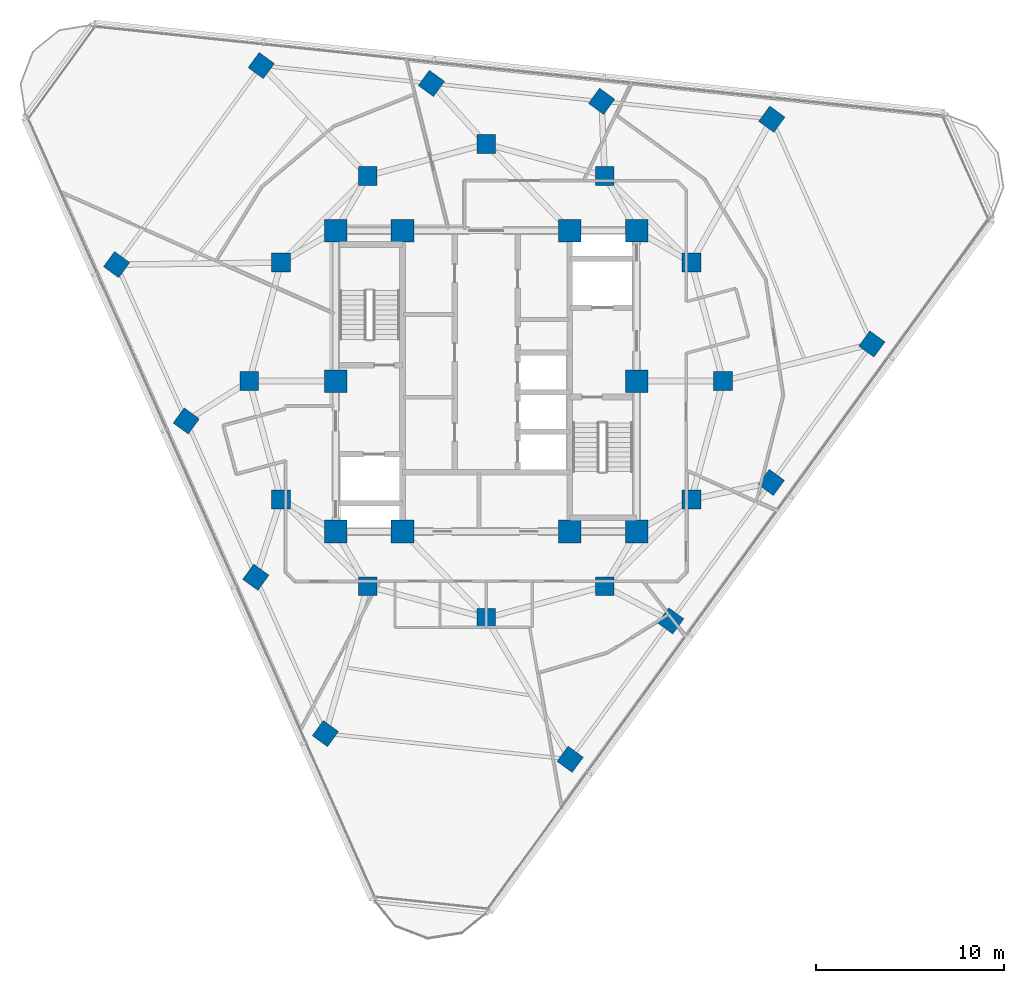
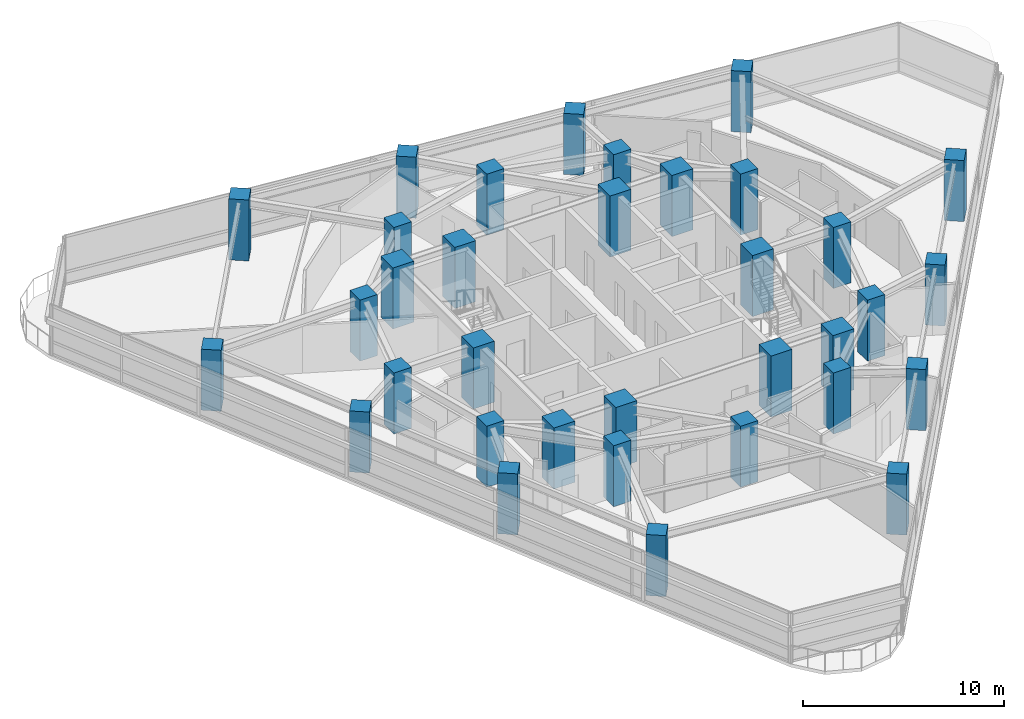
# One storey, part 1 of 15: 34 columns.
"""IFC4 building model written with IfcOpenShell, lengths in metres."""

from ifc_helpers import new_model, si_unit, direction, frame, origin, origin_2d, place, context, subcontext, project, spatial, rectangle, extrude, material, material_profile, profile_set, type_object, element, save


model = new_model("IFC4")

# Units and contexts
model_context = context("Model", 3, precision=1e-05, world=origin(), true_north=direction((0.0, 1.0)))
body_context = subcontext(model_context, "Body", "Model", "MODEL_VIEW")
ifc_project = project(units=[si_unit("LENGTHUNIT", "METRE"), si_unit("AREAUNIT", "SQUARE_METRE"), si_unit("VOLUMEUNIT", "CUBIC_METRE"), si_unit("PLANEANGLEUNIT", "RADIAN"), si_unit("MASSUNIT", "GRAM", prefix="KILO")], contexts=[model_context])

# Site, building, storey
site_placement = place(None, origin())
site = spatial("IfcSite", under=ifc_project, at=site_placement, CompositionType="ELEMENT")
building_placement = place(site_placement, origin())
building = spatial("IfcBuilding", under=site, at=building_placement, Name="Terralouvre Media Tower", CompositionType="ELEMENT")
storey_placement = place(building_placement, frame((0.0, 0.0, 230.0)))
storey = spatial("IfcBuildingStorey", under=building, at=storey_placement, Name="L59", CompositionType="ELEMENT", Elevation=230.0)

# Columns
ifc_material_1 = material(Name="Concrete C50/60", Category="concrete")
ifc_material_profile_1 = material_profile(ifc_material_1, rectangle(XDim=1.0, YDim=1.0, at=origin_2d()), Name="RC 1000x1000")
ifc_profile_set_1 = profile_set([ifc_material_profile_1], Name="Concrete C50/60")
column_type_1 = type_object("IfcColumnType", Name="Structural Column C-RC1000 (RC 1000x1000)", PredefinedType="COLUMN", material=ifc_profile_set_1)
for number, where, z_axis, x_axis, name in (
    (1, (12.60009765625, 0.0, 0.0), (0.0, 0.0, 1.0), (1.0, 0.0, 0.0), "L59 Mega-Frame Column MC01"),
    (2, (10.911865234375, 6.300048828125, 0.0), (0.0, 0.0, 1.0), (1.0, 0.0, 0.0), "L59 Mega-Frame Column MC02"),
    (3, (6.300048828125, 10.911865234375, 0.0), (0.0, 0.0, 1.0), (1.0, 0.0, 0.0), "L59 Mega-Frame Column MC03"),
    (4, (0.0, 12.60009765625, 0.0), (0.0, 0.0, 1.0), (1.0, 0.0, 0.0), "L59 Mega-Frame Column MC04"),
    (5, (-6.300048828125, 10.911865234375, 0.0), (0.0, 0.0, 1.0), (1.0, 0.0, 0.0), "L59 Mega-Frame Column MC05"),
    (6, (-10.911865234375, 6.300048828125, 0.0), (0.0, 0.0, 1.0), (1.0, 0.0, 0.0), "L59 Mega-Frame Column MC06"),
    (7, (-12.60009765625, 0.0, 0.0), (0.0, 0.0, 1.0), (1.0, 0.0, 0.0), "L59 Mega-Frame Column MC07"),
    (8, (-10.911865234375, -6.300048828125, 0.0), (0.0, 0.0, 1.0), (1.0, 0.0, 0.0), "L59 Mega-Frame Column MC08"),
    (9, (-6.300048828125, -10.911865234375, 0.0), (0.0, 0.0, 1.0), (1.0, 0.0, 0.0), "L59 Mega-Frame Column MC09"),
    (10, (0.0, -12.60009765625, 0.0), (0.0, 0.0, 1.0), (1.0, 0.0, 0.0), "L59 Mega-Frame Column MC10"),
    (11, (6.300048828125, -10.911865234375, 0.0), (0.0, 0.0, 1.0), (1.0, 0.0, 0.0), "L59 Mega-Frame Column MC11"),
    (12, (10.911865234375, -6.300048828125, 0.0), (0.0, 0.0, 1.0), (1.0, 0.0, 0.0), "L59 Mega-Frame Column MC12"),
    (13, (4.463623046875, -20.115478515625, 0.0), (0.0, 0.0, 1.0), (0.587785252292, 0.809016994375, 0.0), "L59 Perimeter Mega-Column PC11"),
    (14, (9.8125, -12.75341796875, 0.0), (0.0, 0.0, 1.0), (0.587785252292, 0.809016994375, 0.0), "L59 Perimeter Mega-Column PC12"),
    (15, (15.161376953125, -5.391357421875, 0.0), (0.0, 0.0, 1.0), (0.587785252292, 0.809016994375, 0.0), "L59 Perimeter Mega-Column PC13"),
    (16, (20.51025390625, 1.970703125, 0.0), (0.0, 0.0, 1.0), (0.587785252292, 0.809016994375, 0.0), "L59 Perimeter Mega-Column PC14"),
    (17, (15.1884765625, 13.92333984375, 0.0), (0.0, 0.0, 1.0), (0.587785252292, 0.809016994375, 0.0), "L59 Perimeter Mega-Column PC21"),
    (18, (6.138427734375, 14.87451171875, 0.0), (0.0, 0.0, 1.0), (0.587785252292, 0.809016994375, 0.0), "L59 Perimeter Mega-Column PC22"),
    (19, (-2.91162109375, 15.82568359375, 0.0), (0.0, 0.0, 1.0), (0.587785252292, 0.809016994375, 0.0), "L59 Perimeter Mega-Column PC23"),
    (20, (-11.9619140625, 16.77685546875, 0.0), (0.0, 0.0, 1.0), (0.587785252292, 0.809016994375, 0.0), "L59 Perimeter Mega-Column PC24"),
    (21, (-19.65234375, 6.192138671875, 0.0), (0.0, 0.0, 1.0), (0.587785252292, 0.809016994375, 0.0), "L59 Perimeter Mega-Column PC31"),
    (22, (-15.950927734375, -2.121337890625, 0.0), (0.0, 0.0, 1.0), (0.587785252292, 0.809016994375, 0.0), "L59 Perimeter Mega-Column PC32"),
    (23, (-12.249755859375, -10.4345703125, 0.0), (0.0, 0.0, 1.0), (0.587785252292, 0.809016994375, 0.0), "L59 Perimeter Mega-Column PC33"),
    (24, (-8.54833984375, -18.747802734375, 0.0), (0.0, 0.0, 1.0), (0.587785252292, 0.809016994375, 0.0), "L59 Perimeter Mega-Column PC34"),
):
    element("IfcColumn", number, at=place(storey_placement, frame(where, z_axis=z_axis, x_axis=x_axis)), inside=storey, type_object=column_type_1, Name=name, PredefinedType="COLUMN", context=body_context, shape_type="SweptSolid", body=[
        extrude(rectangle(XDim=1.0, YDim=1.0, at=origin_2d()), origin(), (0.0, 0.0, 1.0), 3.699951171875),
    ])
ifc_material_2 = material(Name="Concrete C60/75", Category="concrete")
ifc_material_profile_2 = material_profile(ifc_material_2, rectangle(XDim=1.199951171875, YDim=1.199951171875, at=origin_2d()), Name="RC 1200x1200")
ifc_profile_set_2 = profile_set([ifc_material_profile_2], Name="Concrete C60/75")
column_type_2 = type_object("IfcColumnType", Name="Structural Column C-RC1200 (RC 1200x1200)", PredefinedType="COLUMN", material=ifc_profile_set_2)
for number, where, z_axis, x_axis, name in (
    (25, (-8.0, -8.0, 0.0), (0.0, 0.0, 1.0), (1.0, 0.0, 0.0), "L59 Core Pilaster Column CP1"),
    (26, (-4.449951171875, -8.0, 0.0), (0.0, 0.0, 1.0), (1.0, 0.0, 0.0), "L59 Core Pilaster Column CP2"),
    (27, (4.449951171875, -8.0, 0.0), (0.0, 0.0, 1.0), (1.0, 0.0, 0.0), "L59 Core Pilaster Column CP10"),
    (28, (8.0, -8.0, 0.0), (0.0, 0.0, 1.0), (1.0, 0.0, 0.0), "L59 Core Pilaster Column CP3"),
    (29, (8.0, 0.0, 0.0), (0.0, 0.0, 1.0), (1.0, 0.0, 0.0), "L59 Core Pilaster Column CP4"),
    (30, (8.0, 8.0, 0.0), (0.0, 0.0, 1.0), (1.0, 0.0, 0.0), "L59 Core Pilaster Column CP5"),
    (31, (4.449951171875, 8.0, 0.0), (0.0, 0.0, 1.0), (1.0, 0.0, 0.0), "L59 Core Pilaster Column CP9"),
    (32, (-4.449951171875, 8.0, 0.0), (0.0, 0.0, 1.0), (1.0, 0.0, 0.0), "L59 Core Pilaster Column CP6"),
    (33, (-8.0, 8.0, 0.0), (0.0, 0.0, 1.0), (1.0, 0.0, 0.0), "L59 Core Pilaster Column CP7"),
    (34, (-8.0, 0.0, 0.0), (0.0, 0.0, 1.0), (1.0, 0.0, 0.0), "L59 Core Pilaster Column CP8"),
):
    element("IfcColumn", number, at=place(storey_placement, frame(where, z_axis=z_axis, x_axis=x_axis)), inside=storey, type_object=column_type_2, Name=name, PredefinedType="COLUMN", context=body_context, shape_type="SweptSolid", body=[
        extrude(rectangle(XDim=1.199951171875, YDim=1.199951171875, at=origin_2d()), origin(), (0.0, 0.0, 1.0), 3.699951171875),
    ])

save(model, "model.ifc")
